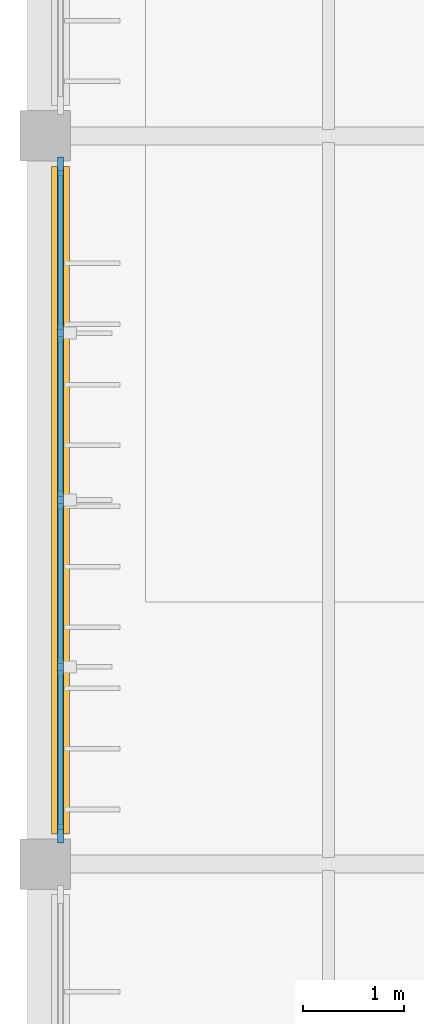
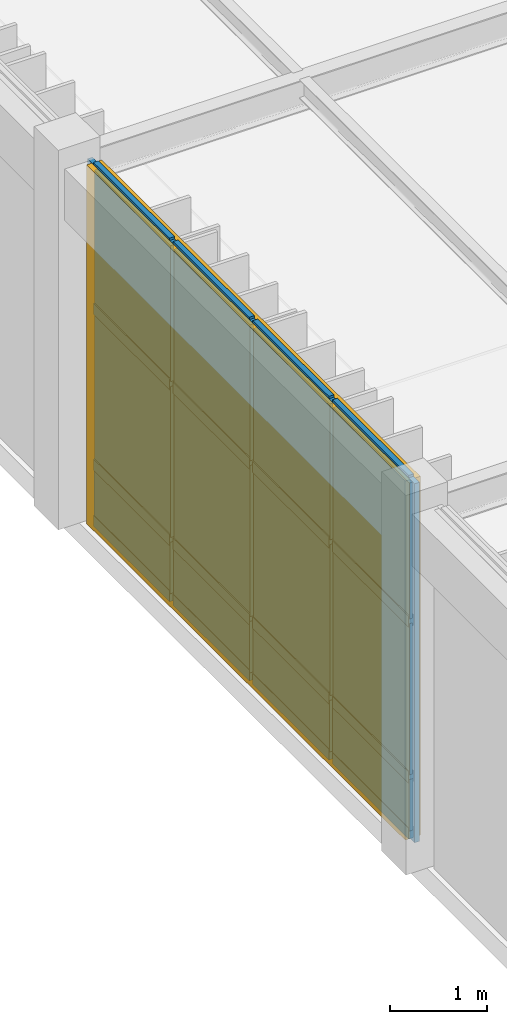
# One storey, part 66 of 122: 21 members, 12 plates, 1 curtain wall.
"""IFC4 building model written with IfcOpenShell, lengths in metres."""

import ifcopenshell
import ifcopenshell.guid

model = None  # the IFC model being written
_history = None  # IfcOwnerHistory: only IFC2X3 demands one
_inside = {}  # id of a spatial element -> (the spatial element, [elements in it])
_under = {}  # id of a project, library or spatial element -> (it, [spatial elements below it])
_declared = {}  # id of a project -> (the project, [libraries it declares])
_typed = {}  # id of a type object -> (the type object, [elements of that type])
_made_of = {}  # id of a material, layer set ... -> (it, [elements and type objects made of it])


def new_model(schema):
    """Start an empty IFC model of exactly this schema.

    Asked for "IFC4X3", IfcOpenShell would pick the latest addendum, in which some entities
    have other attributes; the version numbers below select the first issue.
    IFC2X3 requires an IfcOwnerHistory on every rooted entity: one is made here for all.
    """
    global model, _history
    if schema == "IFC4X3":
        model = ifcopenshell.file(schema_version=(4, 3, 0, 0))
    else:
        model = ifcopenshell.file(schema=schema)
    _inside.clear()
    _under.clear()
    _declared.clear()
    _typed.clear()
    _made_of.clear()
    _history = None
    if model.schema == "IFC2X3":
        org = make("IfcOrganization", Name="unknown")
        user = make(
            "IfcPersonAndOrganization",
            ThePerson=make("IfcPerson", FamilyName="unknown"),
            TheOrganization=org,
        )
        app = make(
            "IfcApplication",
            ApplicationDeveloper=org,
            Version="unknown",
            ApplicationFullName="unknown",
            ApplicationIdentifier="unknown",
        )
        _history = make(
            "IfcOwnerHistory",
            OwningUser=user,
            OwningApplication=app,
            ChangeAction="ADDED",
            CreationDate=0,
        )
    return model


def make(cls, **values):
    """One entity of the class cls with the attributes given. An attribute that is None is left unset."""
    return model.create_entity(
        cls, **{name: value for name, value in values.items() if value is not None}
    )


def rooted(cls, **values):
    """An entity with a GlobalId (a new one), such as an element, a storey or a relation."""
    return make(cls, GlobalId=ifcopenshell.guid.new(), OwnerHistory=_history, **values)


def si_unit(unit_type, name, prefix=None):
    """IfcSIUnit, for example si_unit("LENGTHUNIT", "METRE", prefix="MILLI")."""
    return make("IfcSIUnit", UnitType=unit_type, Prefix=prefix, Name=name)


def assignment(units):
    """IfcUnitAssignment: the units of a project."""
    return None if units is None else make("IfcUnitAssignment", Units=units)


def point(xyz):
    """IfcCartesianPoint."""
    return None if xyz is None else make("IfcCartesianPoint", Coordinates=xyz)


def direction(xyz):
    """IfcDirection."""
    return None if xyz is None else make("IfcDirection", DirectionRatios=xyz)


def frame(location, z_axis=None, x_axis=None):
    """IfcAxis2Placement3D, a coordinate frame: its origin and axes. An axis left out is left unset."""
    return make(
        "IfcAxis2Placement3D",
        Location=point(location),
        Axis=direction(z_axis),
        RefDirection=direction(x_axis),
    )


def frame_2d(location, x_axis=None):
    """IfcAxis2Placement2D, a coordinate frame in the plane: its origin and x axis."""
    return make(
        "IfcAxis2Placement2D", Location=point(location), RefDirection=direction(x_axis)
    )


def origin():
    """The frame at (0, 0, 0) with its axes left unset."""
    return frame((0.0, 0.0, 0.0))


def origin_2d():
    """The frame at (0, 0) in the plane with its x axis left unset."""
    return frame_2d((0.0, 0.0))


def place(relative_to, where):
    """IfcLocalPlacement: puts the frame where relative to a parent placement (None: the world)."""
    return make(
        "IfcLocalPlacement", PlacementRelTo=relative_to, RelativePlacement=where
    )


def context(
    kind, dimensions, precision=None, world=None, true_north=None, identifier=None
):
    """IfcGeometricRepresentationContext, for example the 3D "Model" context."""
    return make(
        "IfcGeometricRepresentationContext",
        ContextIdentifier=identifier,
        ContextType=kind,
        CoordinateSpaceDimension=dimensions,
        Precision=precision,
        WorldCoordinateSystem=world,
        TrueNorth=true_north,
    )


def subcontext(parent, identifier, kind, view, scale=None):
    """IfcGeometricRepresentationSubContext, for example "Body" below "Model"."""
    return make(
        "IfcGeometricRepresentationSubContext",
        ContextIdentifier=identifier,
        ContextType=kind,
        ParentContext=parent,
        TargetScale=scale,
        TargetView=view,
    )


def project(units=None, contexts=None):
    """IfcProject with its units and contexts."""
    return rooted(
        "IfcProject",
        Name="project",
        RepresentationContexts=contexts,
        UnitsInContext=assignment(units),
    )


def spatial(cls, under=None, at=None, **own):
    """A site, building, storey or space (cls), placed at a placement, below another one or the project."""
    s = rooted(cls, ObjectPlacement=at, **own)
    if under is not None:
        _under.setdefault(under.id(), (under, []))[1].append(s)
    return s


def profile(cls, at=None, kind="AREA", **sizes):
    """A parametric profile (cls). Its sizes go by their IFC names, for example OverallWidth=200.0."""
    return make(cls, ProfileType=kind, Position=at, **sizes)


def rectangle(**sizes):
    """IfcRectangleProfileDef."""
    return profile("IfcRectangleProfileDef", **sizes)


def extrude(swept, where, along, depth):
    """IfcExtrudedAreaSolid: the profile swept, set in the frame where, extruded along a direction by depth."""
    return make(
        "IfcExtrudedAreaSolid",
        SweptArea=swept,
        Position=where,
        ExtrudedDirection=direction(along),
        Depth=depth,
    )


def shape(context_of_items, identifier, shape_type, items):
    """IfcShapeRepresentation: the items that make up one representation, for example the "Body"."""
    return make(
        "IfcShapeRepresentation",
        ContextOfItems=context_of_items,
        RepresentationIdentifier=identifier,
        RepresentationType=shape_type,
        Items=items,
    )


def material(Name=None, Category=None):
    """IfcMaterial."""
    return make("IfcMaterial", Name=Name, Category=Category)


def layer(
    of_material, thickness, ventilated=None, Name=None, Category=None, Priority=None
):
    """IfcMaterialLayer: one layer of a wall or slab, of a material (None: an air gap)."""
    return make(
        "IfcMaterialLayer",
        Material=of_material,
        LayerThickness=thickness,
        IsVentilated=ventilated,
        Name=Name,
        Category=Category,
        Priority=Priority,
    )


def layer_set(layers, Name=None):
    """IfcMaterialLayerSet."""
    return make("IfcMaterialLayerSet", MaterialLayers=layers, LayerSetName=Name)


def material_profile(
    of_material, cross_section, Name=None, Category=None, Priority=None
):
    """IfcMaterialProfile: a cross section and its material."""
    return make(
        "IfcMaterialProfile",
        Name=Name,
        Material=of_material,
        Profile=cross_section,
        Priority=Priority,
        Category=Category,
    )


def profile_set(profiles, Name=None, composite=None):
    """IfcMaterialProfileSet."""
    return make(
        "IfcMaterialProfileSet",
        Name=Name,
        MaterialProfiles=profiles,
        CompositeProfile=composite,
    )


def made_of(thing, what):
    """Note that an element or type object is made of a material, layer set ...; save() writes the relation."""
    if what is not None:
        _made_of.setdefault(what.id(), (what, []))[1].append(thing)
    return thing


def type_object(cls, material=None, **own):
    """A type object (cls), such as IfcWallType, which elements share."""
    return made_of(rooted(cls, **own), material)


def element(
    cls,
    number,
    at=None,
    inside=None,
    cuts=None,
    type_object=None,
    material=None,
    context=None,
    identifier="Body",
    shape_type=None,
    held_by="IfcProductDefinitionShape",
    body=None,
    shapes=None,
    **own,
):
    """One element of the class cls, such as IfcWall. Its Tag is "e" and its number.

    at: its placement. inside: the storey or other place that contains it. cuts: it is an
    opening in that element (IfcRelVoidsElement). A single representation is given by context,
    identifier, shape_type and body (its items); several are given by shapes. held_by: the class
    of the entity that holds the representations. save() writes the other relations.
    """
    e = rooted(cls, Tag="e%d" % number, ObjectPlacement=at, **own)
    if body is not None:
        shapes = [shape(context, identifier, shape_type, body)]
    if shapes is not None:
        e.Representation = make(held_by, Representations=shapes)
    if inside is not None:
        _inside.setdefault(inside.id(), (inside, []))[1].append(e)
    if cuts is not None:
        rooted(
            "IfcRelVoidsElement", RelatingBuildingElement=cuts, RelatedOpeningElement=e
        )
    if type_object is not None:
        _typed.setdefault(type_object.id(), (type_object, []))[1].append(e)
    return made_of(e, material)


def aggregate(whole, parts):
    """IfcRelAggregates: a whole, such as a stair, and the parts it consists of."""
    return rooted("IfcRelAggregates", RelatingObject=whole, RelatedObjects=parts)


def save(model, path):
    """Write the relations noted so far, then the file.

    IfcRelAggregates (storeys below a building ...), IfcRelContainedInSpatialStructure (elements
    in a storey), IfcRelDefinesByType, IfcRelAssociatesMaterial and IfcRelDeclares: one each for
    every whole, place, type object, material and project.
    """
    for whole, parts in _under.values():
        aggregate(whole, parts)
    for where, things in _inside.values():
        rooted(
            "IfcRelContainedInSpatialStructure",
            RelatedElements=things,
            RelatingStructure=where,
        )
    for kind, things in _typed.values():
        rooted("IfcRelDefinesByType", RelatedObjects=things, RelatingType=kind)
    for what, things in _made_of.values():
        rooted("IfcRelAssociatesMaterial", RelatedObjects=things, RelatingMaterial=what)
    for by, libraries in _declared.values():
        rooted("IfcRelDeclares", RelatingContext=by, RelatedDefinitions=libraries)
    model.write(path)


model = new_model("IFC4")

# Units and contexts
model_context = context("Model", 3, precision=1e-05, world=origin(), true_north=direction((0.0, 1.0)))
body_context = subcontext(model_context, "Body", "Model", "MODEL_VIEW")
ifc_project = project(units=[si_unit("LENGTHUNIT", "METRE"), si_unit("AREAUNIT", "SQUARE_METRE"), si_unit("VOLUMEUNIT", "CUBIC_METRE"), si_unit("PLANEANGLEUNIT", "RADIAN"), si_unit("MASSUNIT", "GRAM", prefix="KILO")], contexts=[model_context])

# Member
ifc_material_1 = material(Name="Anodised Bronze Aluminium 6063-T6", Category="aluminium")
ifc_material_profile_1 = material_profile(ifc_material_1, rectangle(XDim=0.06005859375, YDim=0.179931640625, at=origin_2d()), Name="ALU MULLION 60x180")
ifc_profile_set_1 = profile_set([ifc_material_profile_1], Name="Anodised Bronze Aluminium 6063-T6")
member_type_1 = type_object("IfcMemberType", Name="Curtain-Wall Primary Mullion 60x180", PredefinedType="MULLION", material=ifc_profile_set_1)
site_placement = place(None, origin())
building_placement = place(site_placement, origin())
storey_placement = place(building_placement, origin())
member_1_placement = place(storey_placement, frame((2.550048828125, 52.10009765625, 0.0), z_axis=(0.0, 0.0, 1.0), x_axis=(1.0, 0.0, 0.0)))
member_1 = element("IfcMember", 1, at=member_1_placement, type_object=member_type_1, Name="Mullion CWM-01 CW-V6-W1-L00-B3-M01", PredefinedType="MULLION", context=body_context, shape_type="SweptSolid", body=[
    extrude(rectangle(XDim=0.06005859375, YDim=0.179931640625, at=origin_2d()), origin(), (0.0, 0.0, 1.0), 4.5400390625),
])

member_2_placement = place(storey_placement, frame((2.550048828125, 53.75, 0.0), z_axis=(0.0, 0.0, 1.0), x_axis=(1.0, 0.0, 0.0)))
member_2 = element("IfcMember", 2, at=member_2_placement, type_object=member_type_1, Name="Mullion CWM-01 CW-V6-W1-L00-B3-M02", PredefinedType="MULLION", context=body_context, shape_type="SweptSolid", body=[
    extrude(rectangle(XDim=0.06005859375, YDim=0.179931640625, at=origin_2d()), origin(), (0.0, 0.0, 1.0), 4.5400390625),
])

member_3_placement = place(storey_placement, frame((2.550048828125, 55.39990234375, 0.0), z_axis=(0.0, 0.0, 1.0), x_axis=(1.0, 0.0, 0.0)))
member_3 = element("IfcMember", 3, at=member_3_placement, type_object=member_type_1, Name="Mullion CWM-01 CW-V6-W1-L00-B3-M03", PredefinedType="MULLION", context=body_context, shape_type="SweptSolid", body=[
    extrude(rectangle(XDim=0.06005859375, YDim=0.179931640625, at=origin_2d()), origin(), (0.0, 0.0, 1.0), 4.5400390625),
])

member_4_placement = place(storey_placement, frame((2.550048828125, 57.050048828125, 0.0), z_axis=(0.0, 0.0, 1.0), x_axis=(1.0, 0.0, 0.0)))
member_4 = element("IfcMember", 4, at=member_4_placement, type_object=member_type_1, Name="Mullion CWM-01 CW-V6-W1-L00-B3-M04", PredefinedType="MULLION", context=body_context, shape_type="SweptSolid", body=[
    extrude(rectangle(XDim=0.06005859375, YDim=0.179931640625, at=origin_2d()), origin(), (0.0, 0.0, 1.0), 4.5400390625),
])

member_5_placement = place(storey_placement, frame((2.550048828125, 58.699951171875, 0.0), z_axis=(0.0, 0.0, 1.0), x_axis=(1.0, 0.0, 0.0)))
member_5 = element("IfcMember", 5, at=member_5_placement, type_object=member_type_1, Name="Mullion CWM-01 CW-V6-W1-L00-B3-M05", PredefinedType="MULLION", context=body_context, shape_type="SweptSolid", body=[
    extrude(rectangle(XDim=0.06005859375, YDim=0.179931640625, at=origin_2d()), origin(), (0.0, 0.0, 1.0), 4.5400390625),
])

ifc_material_profile_2 = material_profile(ifc_material_1, rectangle(XDim=0.06005859375, YDim=0.139892578125, at=origin_2d()), Name="ALU TRANSOM 60x140")
ifc_profile_set_2 = profile_set([ifc_material_profile_2], Name="Anodised Bronze Aluminium 6063-T6")
member_type_2 = type_object("IfcMemberType", Name="Curtain-Wall Transom 60x140", PredefinedType="USERDEFINED", material=ifc_profile_set_2)
member_6_placement = place(storey_placement, frame((2.550048828125, 52.135009765625, 0.0400390625), z_axis=(0.0, 1.0, 0.0), x_axis=(-1.0, 0.0, 0.0)))
member_6 = element("IfcMember", 6, at=member_6_placement, type_object=member_type_2, Name="Transom CWT-01 CW-V6-W1-L00-B3-T01.1", ObjectType="TRANSOM", PredefinedType="USERDEFINED", context=body_context, shape_type="SweptSolid", body=[
    extrude(rectangle(XDim=0.06005859375, YDim=0.139892578125, at=origin_2d()), origin(), (0.0, 0.0, 1.0), 1.580078125),
])

member_7_placement = place(storey_placement, frame((2.550048828125, 52.135009765625, 0.75), z_axis=(0.0, 1.0, 0.0), x_axis=(-1.0, 0.0, 0.0)))
member_7 = element("IfcMember", 7, at=member_7_placement, type_object=member_type_2, Name="Transom CWT-01 CW-V6-W1-L00-B3-T01.2", ObjectType="TRANSOM", PredefinedType="USERDEFINED", context=body_context, shape_type="SweptSolid", body=[
    extrude(rectangle(XDim=0.06005859375, YDim=0.139892578125, at=origin_2d()), origin(), (0.0, 0.0, 1.0), 1.580078125),
])

member_8_placement = place(storey_placement, frame((2.550048828125, 52.135009765625, 2.720703125), z_axis=(0.0, 1.0, 0.0), x_axis=(-1.0, 0.0, 0.0)))
member_8 = element("IfcMember", 8, at=member_8_placement, type_object=member_type_2, Name="Transom CWT-01 CW-V6-W1-L00-B3-T01.3", ObjectType="TRANSOM", PredefinedType="USERDEFINED", context=body_context, shape_type="SweptSolid", body=[
    extrude(rectangle(XDim=0.06005859375, YDim=0.139892578125, at=origin_2d()), origin(), (0.0, 0.0, 1.0), 1.580078125),
])

member_9_placement = place(storey_placement, frame((2.550048828125, 52.135009765625, 4.5), z_axis=(0.0, 1.0, 0.0), x_axis=(-1.0, 0.0, 0.0)))
member_9 = element("IfcMember", 9, at=member_9_placement, type_object=member_type_2, Name="Transom CWT-01 CW-V6-W1-L00-B3-T01.4", ObjectType="TRANSOM", PredefinedType="USERDEFINED", context=body_context, shape_type="SweptSolid", body=[
    extrude(rectangle(XDim=0.06005859375, YDim=0.139892578125, at=origin_2d()), origin(), (0.0, 0.0, 1.0), 1.580078125),
])

member_10_placement = place(storey_placement, frame((2.550048828125, 53.784912109375, 0.0400390625), z_axis=(0.0, 1.0, 0.0), x_axis=(-1.0, 0.0, 0.0)))
member_10 = element("IfcMember", 10, at=member_10_placement, type_object=member_type_2, Name="Transom CWT-01 CW-V6-W1-L00-B3-T02.1", ObjectType="TRANSOM", PredefinedType="USERDEFINED", context=body_context, shape_type="SweptSolid", body=[
    extrude(rectangle(XDim=0.06005859375, YDim=0.139892578125, at=origin_2d()), origin(), (0.0, 0.0, 1.0), 1.580078125),
])

member_11_placement = place(storey_placement, frame((2.550048828125, 53.784912109375, 0.75), z_axis=(0.0, 1.0, 0.0), x_axis=(-1.0, 0.0, 0.0)))
member_11 = element("IfcMember", 11, at=member_11_placement, type_object=member_type_2, Name="Transom CWT-01 CW-V6-W1-L00-B3-T02.2", ObjectType="TRANSOM", PredefinedType="USERDEFINED", context=body_context, shape_type="SweptSolid", body=[
    extrude(rectangle(XDim=0.06005859375, YDim=0.139892578125, at=origin_2d()), origin(), (0.0, 0.0, 1.0), 1.580078125),
])

member_12_placement = place(storey_placement, frame((2.550048828125, 53.784912109375, 2.720703125), z_axis=(0.0, 1.0, 0.0), x_axis=(-1.0, 0.0, 0.0)))
member_12 = element("IfcMember", 12, at=member_12_placement, type_object=member_type_2, Name="Transom CWT-01 CW-V6-W1-L00-B3-T02.3", ObjectType="TRANSOM", PredefinedType="USERDEFINED", context=body_context, shape_type="SweptSolid", body=[
    extrude(rectangle(XDim=0.06005859375, YDim=0.139892578125, at=origin_2d()), origin(), (0.0, 0.0, 1.0), 1.580078125),
])

member_13_placement = place(storey_placement, frame((2.550048828125, 53.784912109375, 4.5), z_axis=(0.0, 1.0, 0.0), x_axis=(-1.0, 0.0, 0.0)))
member_13 = element("IfcMember", 13, at=member_13_placement, type_object=member_type_2, Name="Transom CWT-01 CW-V6-W1-L00-B3-T02.4", ObjectType="TRANSOM", PredefinedType="USERDEFINED", context=body_context, shape_type="SweptSolid", body=[
    extrude(rectangle(XDim=0.06005859375, YDim=0.139892578125, at=origin_2d()), origin(), (0.0, 0.0, 1.0), 1.580078125),
])

member_14_placement = place(storey_placement, frame((2.550048828125, 55.43505859375, 0.0400390625), z_axis=(0.0, 1.0, 0.0), x_axis=(-1.0, 0.0, 0.0)))
member_14 = element("IfcMember", 14, at=member_14_placement, type_object=member_type_2, Name="Transom CWT-01 CW-V6-W1-L00-B3-T03.1", ObjectType="TRANSOM", PredefinedType="USERDEFINED", context=body_context, shape_type="SweptSolid", body=[
    extrude(rectangle(XDim=0.06005859375, YDim=0.139892578125, at=origin_2d()), origin(), (0.0, 0.0, 1.0), 1.579833984375),
])

member_15_placement = place(storey_placement, frame((2.550048828125, 55.43505859375, 0.75), z_axis=(0.0, 1.0, 0.0), x_axis=(-1.0, 0.0, 0.0)))
member_15 = element("IfcMember", 15, at=member_15_placement, type_object=member_type_2, Name="Transom CWT-01 CW-V6-W1-L00-B3-T03.2", ObjectType="TRANSOM", PredefinedType="USERDEFINED", context=body_context, shape_type="SweptSolid", body=[
    extrude(rectangle(XDim=0.06005859375, YDim=0.139892578125, at=origin_2d()), origin(), (0.0, 0.0, 1.0), 1.579833984375),
])

member_16_placement = place(storey_placement, frame((2.550048828125, 55.43505859375, 2.720703125), z_axis=(0.0, 1.0, 0.0), x_axis=(-1.0, 0.0, 0.0)))
member_16 = element("IfcMember", 16, at=member_16_placement, type_object=member_type_2, Name="Transom CWT-01 CW-V6-W1-L00-B3-T03.3", ObjectType="TRANSOM", PredefinedType="USERDEFINED", context=body_context, shape_type="SweptSolid", body=[
    extrude(rectangle(XDim=0.06005859375, YDim=0.139892578125, at=origin_2d()), origin(), (0.0, 0.0, 1.0), 1.579833984375),
])

member_17_placement = place(storey_placement, frame((2.550048828125, 55.43505859375, 4.5), z_axis=(0.0, 1.0, 0.0), x_axis=(-1.0, 0.0, 0.0)))
member_17 = element("IfcMember", 17, at=member_17_placement, type_object=member_type_2, Name="Transom CWT-01 CW-V6-W1-L00-B3-T03.4", ObjectType="TRANSOM", PredefinedType="USERDEFINED", context=body_context, shape_type="SweptSolid", body=[
    extrude(rectangle(XDim=0.06005859375, YDim=0.139892578125, at=origin_2d()), origin(), (0.0, 0.0, 1.0), 1.579833984375),
])

member_18_placement = place(storey_placement, frame((2.550048828125, 57.0849609375, 0.0400390625), z_axis=(0.0, 1.0, 0.0), x_axis=(-1.0, 0.0, 0.0)))
member_18 = element("IfcMember", 18, at=member_18_placement, type_object=member_type_2, Name="Transom CWT-01 CW-V6-W1-L00-B3-T04.1", ObjectType="TRANSOM", PredefinedType="USERDEFINED", context=body_context, shape_type="SweptSolid", body=[
    extrude(rectangle(XDim=0.06005859375, YDim=0.139892578125, at=origin_2d()), origin(), (0.0, 0.0, 1.0), 1.580078125),
])

member_19_placement = place(storey_placement, frame((2.550048828125, 57.0849609375, 0.75), z_axis=(0.0, 1.0, 0.0), x_axis=(-1.0, 0.0, 0.0)))
member_19 = element("IfcMember", 19, at=member_19_placement, type_object=member_type_2, Name="Transom CWT-01 CW-V6-W1-L00-B3-T04.2", ObjectType="TRANSOM", PredefinedType="USERDEFINED", context=body_context, shape_type="SweptSolid", body=[
    extrude(rectangle(XDim=0.06005859375, YDim=0.139892578125, at=origin_2d()), origin(), (0.0, 0.0, 1.0), 1.580078125),
])

member_20_placement = place(storey_placement, frame((2.550048828125, 57.0849609375, 2.720703125), z_axis=(0.0, 1.0, 0.0), x_axis=(-1.0, 0.0, 0.0)))
member_20 = element("IfcMember", 20, at=member_20_placement, type_object=member_type_2, Name="Transom CWT-01 CW-V6-W1-L00-B3-T04.3", ObjectType="TRANSOM", PredefinedType="USERDEFINED", context=body_context, shape_type="SweptSolid", body=[
    extrude(rectangle(XDim=0.06005859375, YDim=0.139892578125, at=origin_2d()), origin(), (0.0, 0.0, 1.0), 1.580078125),
])

member_21_placement = place(storey_placement, frame((2.550048828125, 57.0849609375, 4.5), z_axis=(0.0, 1.0, 0.0), x_axis=(-1.0, 0.0, 0.0)))
member_21 = element("IfcMember", 21, at=member_21_placement, type_object=member_type_2, Name="Transom CWT-01 CW-V6-W1-L00-B3-T04.4", ObjectType="TRANSOM", PredefinedType="USERDEFINED", context=body_context, shape_type="SweptSolid", body=[
    extrude(rectangle(XDim=0.06005859375, YDim=0.139892578125, at=origin_2d()), origin(), (0.0, 0.0, 1.0), 1.580078125),
])

# Plate
ifc_material_2 = material(Name="Insulated Bronze Aluminium Spandrel Panel", Category="aluminium")
ifc_layer_1 = layer(ifc_material_2, 0.050048828125, Name="Insulated Bronze Aluminium Spandrel Panel")
ifc_layer_set_1 = layer_set([ifc_layer_1], Name="Insulated Bronze Aluminium Spandrel Panel")
plate_type_1 = type_object("IfcPlateType", Name="Insulated Anodised Aluminium Spandrel Cassette 50", PredefinedType="CURTAIN_PANEL", material=ifc_layer_set_1)
plate_1_placement = place(storey_placement, frame((2.550048828125, 52.925048828125, 0.070068359375), z_axis=(0.0, 0.0, 1.0), x_axis=(0.0, 1.0, 0.0)))
plate_1 = element("IfcPlate", 22, at=plate_1_placement, type_object=plate_type_1, Name="Curtain Panel CWP-03 CW-V6-W1-L00-B3-P01.1", PredefinedType="CURTAIN_PANEL", context=body_context, shape_type="SweptSolid", body=[
    extrude(rectangle(XDim=1.580078125, YDim=0.050048828125, at=origin_2d()), origin(), (0.0, 0.0, 1.0), 0.64990234375),
])

plate_2_placement = place(storey_placement, frame((2.550048828125, 54.574951171875, 0.070068359375), z_axis=(0.0, 0.0, 1.0), x_axis=(0.0, 1.0, 0.0)))
plate_2 = element("IfcPlate", 23, at=plate_2_placement, type_object=plate_type_1, Name="Curtain Panel CWP-03 CW-V6-W1-L00-B3-P02.1", PredefinedType="CURTAIN_PANEL", context=body_context, shape_type="SweptSolid", body=[
    extrude(rectangle(XDim=1.580078125, YDim=0.050048828125, at=origin_2d()), origin(), (0.0, 0.0, 1.0), 0.64990234375),
])

plate_3_placement = place(storey_placement, frame((2.550048828125, 56.22509765625, 0.070068359375), z_axis=(0.0, 0.0, 1.0), x_axis=(0.0, 1.0, 0.0)))
plate_3 = element("IfcPlate", 24, at=plate_3_placement, type_object=plate_type_1, Name="Curtain Panel CWP-03 CW-V6-W1-L00-B3-P03.1", PredefinedType="CURTAIN_PANEL", context=body_context, shape_type="SweptSolid", body=[
    extrude(rectangle(XDim=1.580078125, YDim=0.050048828125, at=origin_2d()), origin(), (0.0, 0.0, 1.0), 0.64990234375),
])

plate_4_placement = place(storey_placement, frame((2.550048828125, 57.875, 0.070068359375), z_axis=(0.0, 0.0, 1.0), x_axis=(0.0, 1.0, 0.0)))
plate_4 = element("IfcPlate", 25, at=plate_4_placement, type_object=plate_type_1, Name="Curtain Panel CWP-03 CW-V6-W1-L00-B3-P04.1", PredefinedType="CURTAIN_PANEL", context=body_context, shape_type="SweptSolid", body=[
    extrude(rectangle(XDim=1.580078125, YDim=0.050048828125, at=origin_2d()), origin(), (0.0, 0.0, 1.0), 0.64990234375),
])

ifc_material_3 = material(Name="Solar-Control Tempered Double Glazing", Category="glass")
ifc_layer_2 = layer(ifc_material_3, 0.0380859375, Name="Solar-Control Tempered Double Glazing")
ifc_layer_set_2 = layer_set([ifc_layer_2], Name="Solar-Control Tempered Double Glazing")
plate_type_2 = type_object("IfcPlateType", Name="Solar-Control Vision Glazing Unit 38", PredefinedType="CURTAIN_PANEL", material=ifc_layer_set_2)
plate_5_placement = place(storey_placement, frame((2.550048828125, 52.925048828125, 0.77978515625), z_axis=(0.0, 0.0, 1.0), x_axis=(0.0, 1.0, 0.0)))
plate_5 = element("IfcPlate", 26, at=plate_5_placement, type_object=plate_type_2, Name="Curtain Panel CWP-02 CW-V6-W1-L00-B3-P01.2", PredefinedType="CURTAIN_PANEL", context=body_context, shape_type="SweptSolid", body=[
    extrude(rectangle(XDim=1.580078125, YDim=0.0380859375, at=origin_2d()), origin(), (0.0, 0.0, 1.0), 1.910888671875),
])

plate_6_placement = place(storey_placement, frame((2.550048828125, 52.925048828125, 2.750732421875), z_axis=(0.0, 0.0, 1.0), x_axis=(0.0, 1.0, 0.0)))
plate_6 = element("IfcPlate", 27, at=plate_6_placement, type_object=plate_type_2, Name="Curtain Panel CWP-02 CW-V6-W1-L00-B3-P01.3", PredefinedType="CURTAIN_PANEL", context=body_context, shape_type="SweptSolid", body=[
    extrude(rectangle(XDim=1.580078125, YDim=0.0380859375, at=origin_2d()), origin(), (0.0, 0.0, 1.0), 1.71923828125),
])

plate_7_placement = place(storey_placement, frame((2.550048828125, 54.574951171875, 0.77978515625), z_axis=(0.0, 0.0, 1.0), x_axis=(0.0, 1.0, 0.0)))
plate_7 = element("IfcPlate", 28, at=plate_7_placement, type_object=plate_type_2, Name="Curtain Panel CWP-02 CW-V6-W1-L00-B3-P02.2", PredefinedType="CURTAIN_PANEL", context=body_context, shape_type="SweptSolid", body=[
    extrude(rectangle(XDim=1.580078125, YDim=0.0380859375, at=origin_2d()), origin(), (0.0, 0.0, 1.0), 1.910888671875),
])

plate_8_placement = place(storey_placement, frame((2.550048828125, 54.574951171875, 2.750732421875), z_axis=(0.0, 0.0, 1.0), x_axis=(0.0, 1.0, 0.0)))
plate_8 = element("IfcPlate", 29, at=plate_8_placement, type_object=plate_type_2, Name="Curtain Panel CWP-02 CW-V6-W1-L00-B3-P02.3", PredefinedType="CURTAIN_PANEL", context=body_context, shape_type="SweptSolid", body=[
    extrude(rectangle(XDim=1.580078125, YDim=0.0380859375, at=origin_2d()), origin(), (0.0, 0.0, 1.0), 1.71923828125),
])

plate_9_placement = place(storey_placement, frame((2.550048828125, 56.22509765625, 0.77978515625), z_axis=(0.0, 0.0, 1.0), x_axis=(0.0, 1.0, 0.0)))
plate_9 = element("IfcPlate", 30, at=plate_9_placement, type_object=plate_type_2, Name="Curtain Panel CWP-02 CW-V6-W1-L00-B3-P03.2", PredefinedType="CURTAIN_PANEL", context=body_context, shape_type="SweptSolid", body=[
    extrude(rectangle(XDim=1.580078125, YDim=0.0380859375, at=origin_2d()), origin(), (0.0, 0.0, 1.0), 1.910888671875),
])

plate_10_placement = place(storey_placement, frame((2.550048828125, 56.22509765625, 2.750732421875), z_axis=(0.0, 0.0, 1.0), x_axis=(0.0, 1.0, 0.0)))
plate_10 = element("IfcPlate", 31, at=plate_10_placement, type_object=plate_type_2, Name="Curtain Panel CWP-02 CW-V6-W1-L00-B3-P03.3", PredefinedType="CURTAIN_PANEL", context=body_context, shape_type="SweptSolid", body=[
    extrude(rectangle(XDim=1.580078125, YDim=0.0380859375, at=origin_2d()), origin(), (0.0, 0.0, 1.0), 1.71923828125),
])

plate_11_placement = place(storey_placement, frame((2.550048828125, 57.875, 0.77978515625), z_axis=(0.0, 0.0, 1.0), x_axis=(0.0, 1.0, 0.0)))
plate_11 = element("IfcPlate", 32, at=plate_11_placement, type_object=plate_type_2, Name="Curtain Panel CWP-02 CW-V6-W1-L00-B3-P04.2", PredefinedType="CURTAIN_PANEL", context=body_context, shape_type="SweptSolid", body=[
    extrude(rectangle(XDim=1.580078125, YDim=0.0380859375, at=origin_2d()), origin(), (0.0, 0.0, 1.0), 1.910888671875),
])

plate_12_placement = place(storey_placement, frame((2.550048828125, 57.875, 2.750732421875), z_axis=(0.0, 0.0, 1.0), x_axis=(0.0, 1.0, 0.0)))
plate_12 = element("IfcPlate", 33, at=plate_12_placement, type_object=plate_type_2, Name="Curtain Panel CWP-02 CW-V6-W1-L00-B3-P04.3", PredefinedType="CURTAIN_PANEL", context=body_context, shape_type="SweptSolid", body=[
    extrude(rectangle(XDim=1.580078125, YDim=0.0380859375, at=origin_2d()), origin(), (0.0, 0.0, 1.0), 1.71923828125),
])

# Site, building, storey
site = spatial("IfcSite", under=ifc_project, at=site_placement, CompositionType="ELEMENT")
building = spatial("IfcBuilding", under=site, at=building_placement, Name="Tazoul Stagehouse", CompositionType="ELEMENT")
storey = spatial("IfcBuildingStorey", under=building, at=storey_placement, Name="L00", CompositionType="ELEMENT", Elevation=0.0)

# Curtain wall
curtain_wall_type = type_object("IfcCurtainWallType", Name="Foyer Clear Solar-Control Curtain Wall", PredefinedType="NOTDEFINED", material=ifc_material_1)
curtain_wall_placement = place(storey_placement, frame((2.550048828125, 52.10009765625, 0.0), z_axis=(0.0, 0.0, 1.0), x_axis=(0.0, 1.0, 0.0)))
curtain_wall = element("IfcCurtainWall", 34, at=curtain_wall_placement, inside=storey, type_object=curtain_wall_type, Name="L00 Curtain Wall CW-02 (CW-V6-W1-L00-B3)", PredefinedType="NOTDEFINED", context=body_context, shape_type="SweptSolid", body=[
    extrude(rectangle(XDim=6.599853515625, YDim=0.179931640625, at=frame_2d((3.2998046875, 0.0))), origin(), (0.0, 0.0, 1.0), 4.5400390625),
])

aggregate(curtain_wall, [member_1, member_2, member_3, member_4, member_5, member_6, member_7, member_8, member_9, plate_1, plate_5, plate_6, member_10, member_11, member_12, member_13, plate_2, plate_7, plate_8, member_14, member_15, member_16, member_17, plate_3, plate_9, plate_10, member_18, member_19, member_20, member_21, plate_4, plate_11, plate_12])

save(model, "model.ifc")
